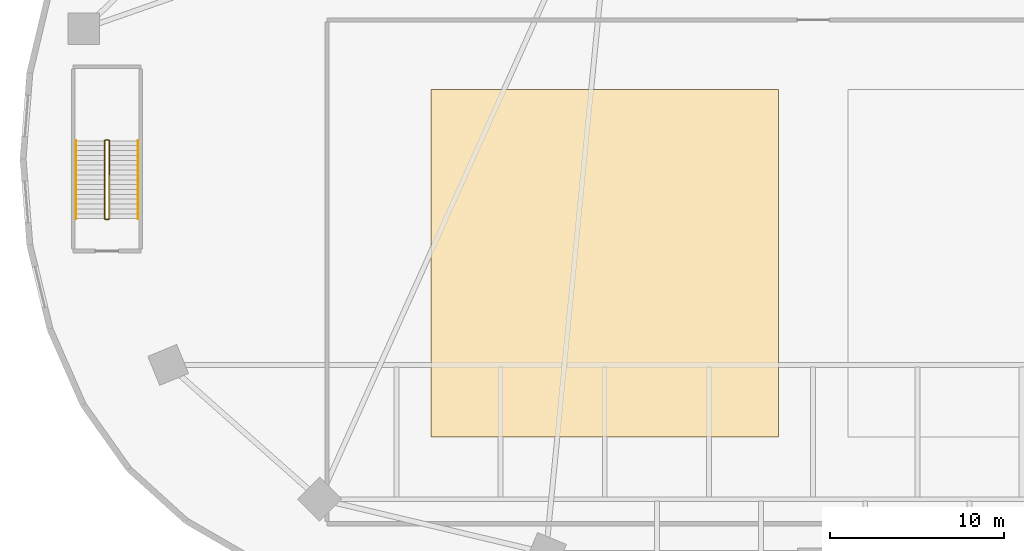
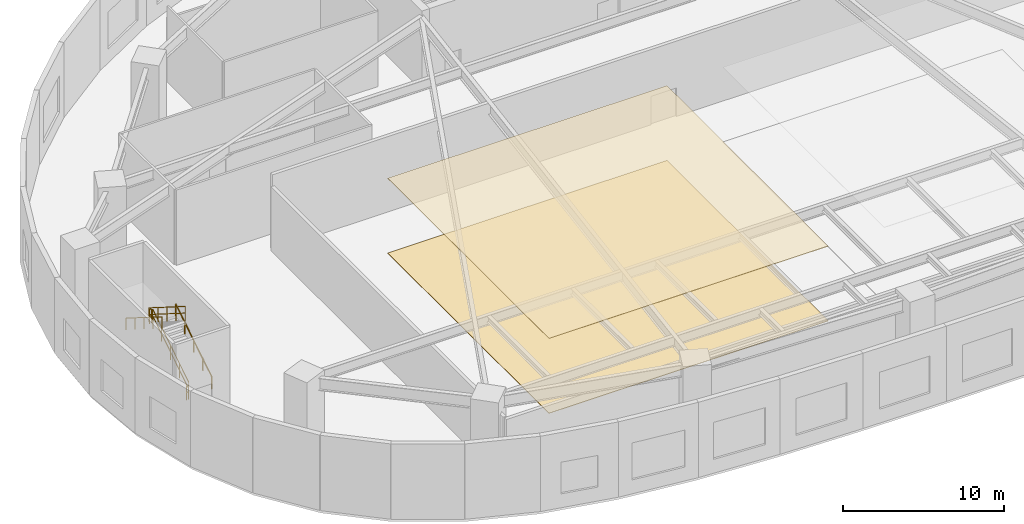
# One storey, part 7 of 10: 6 railings, 2 coverings.
"""IFC4 building model written with IfcOpenShell, lengths in metres."""

from ifc_helpers import new_model, si_unit, direction, frame, origin, origin_2d, place, context, subcontext, project, spatial, polyline, rectangle, outline, extrude, material, layer, layer_set, type_object, element, save


model = new_model("IFC4")

# Units and contexts
model_context = context("Model", 3, precision=1e-05, world=origin(), true_north=direction((0.0, 1.0)))
body_context = subcontext(model_context, "Body", "Model", "MODEL_VIEW")
ifc_project = project(units=[si_unit("LENGTHUNIT", "METRE"), si_unit("AREAUNIT", "SQUARE_METRE"), si_unit("VOLUMEUNIT", "CUBIC_METRE"), si_unit("PLANEANGLEUNIT", "RADIAN"), si_unit("MASSUNIT", "GRAM", prefix="KILO")], contexts=[model_context])

# Site, building, storey
site_placement = place(None, origin())
site = spatial("IfcSite", under=ifc_project, at=site_placement, CompositionType="ELEMENT")
building_placement = place(site_placement, origin())
building = spatial("IfcBuilding", under=site, at=building_placement, Name="Breltana Convention Tower", CompositionType="ELEMENT")
storey_placement = place(building_placement, frame((0.0, 0.0, 6.0)))
storey = spatial("IfcBuildingStorey", under=building, at=storey_placement, Name="L01", CompositionType="ELEMENT", Elevation=6.0)

# Coverings
ifc_material_1 = material(Name="Gypsum Micro-Perforated Acoustic Ceiling")
ifc_layer_1 = layer(ifc_material_1, 0.044921875, Name="Gypsum Micro-Perforated Acoustic Ceiling")
ifc_layer_set_1 = layer_set([ifc_layer_1], Name="Gypsum Micro-Perforated Acoustic Ceiling")
covering_type_1 = type_object("IfcCoveringType", Name="COV-CEIL-ACOUSTIC-45", PredefinedType="CEILING", material=ifc_layer_set_1)
covering_1_placement = place(storey_placement, frame((0.0, 0.0, 5.655029296875)))
element("IfcCovering", 1, at=covering_1_placement, inside=storey, type_object=covering_type_1, Name="L01 hall acoustic ceiling 2", PredefinedType="CEILING", context=body_context, shape_type="SweptSolid", body=[
    extrude(outline(polyline([(26.0, 26.0), (46.0, 26.0), (46.0, 46.0), (26.0, 46.0), (26.0, 26.0)])), origin(), (0.0, 0.0, 1.0), 0.044921875),
])
ifc_material_2 = material(Name="Warm Buff Limestone Terrazzo Flooring", Category="masonry")
ifc_layer_2 = layer(ifc_material_2, 0.034912109375, Name="Warm Buff Limestone Terrazzo Flooring")
ifc_layer_set_2 = layer_set([ifc_layer_2], Name="Warm Buff Limestone Terrazzo Flooring")
covering_type_2 = type_object("IfcCoveringType", Name="COV-FLOOR-TERRAZZO-35", PredefinedType="FLOORING", material=ifc_layer_set_2)
covering_2_placement = place(storey_placement, origin())
element("IfcCovering", 2, at=covering_2_placement, inside=storey, type_object=covering_type_2, Name="L01 hall limestone terrazzo flooring 2", PredefinedType="FLOORING", context=body_context, shape_type="SweptSolid", body=[
    extrude(outline(polyline([(26.0, 26.0), (46.0, 26.0), (46.0, 46.0), (26.0, 46.0), (26.0, 26.0)])), origin(), (0.0, 0.0, 1.0), 0.034912109375),
])

# Railings
ifc_material_3 = material(Name="Steel S275 Painted", Category="steel")
railing_type_1 = type_object("IfcRailingType", Name="RL-STAIR-GUARD-1100", PredefinedType="GUARDRAIL", material=ifc_material_3)
railing_1_placement = place(storey_placement, frame((7.4599609375, 38.56005859375, 0.176513671875)))
element("IfcRailing", 3, at=railing_1_placement, inside=storey, type_object=railing_type_1, Name="L01 ST-3 stair guard 1", PredefinedType="GUARDRAIL", context=body_context, shape_type="SweptSolid", body=[
    extrude(rectangle(XDim=0.048095703125, YDim=0.048095703125, at=origin_2d()), frame((0.0, 0.0, 1.076171875), z_axis=(0.0, 0.845997938375, 0.533186166611), x_axis=(-1.0, 0.0, 0.0)), (0.0, 0.0, 1.0), 5.29541015625),
    extrude(rectangle(XDim=0.048095703125, YDim=0.048095703125, at=origin_2d()), frame((0.0, 0.0, 0.572021484375), z_axis=(0.0, 0.845997938375, 0.533186166611), x_axis=(-1.0, 0.0, 0.0)), (0.0, 0.0, 1.0), 5.29541015625),
    extrude(rectangle(XDim=0.0419921875, YDim=0.0419921875, at=origin_2d()), origin(), (0.0, 0.0, 1.0), 1.052001953125),
    extrude(rectangle(XDim=0.0419921875, YDim=0.0419921875, at=origin_2d()), frame((0.0, 1.1201171875, 0.705810546875)), (0.0, 0.0, 1.0), 1.052001953125),
    extrude(rectangle(XDim=0.0419921875, YDim=0.0419921875, at=origin_2d()), frame((0.0, 2.239990234375, 1.41162109375)), (0.0, 0.0, 1.0), 1.052001953125),
    extrude(rectangle(XDim=0.0419921875, YDim=0.0419921875, at=origin_2d()), frame((0.0, 3.35986328125, 2.11767578125)), (0.0, 0.0, 1.0), 1.052001953125),
    extrude(rectangle(XDim=0.0419921875, YDim=0.0419921875, at=origin_2d()), frame((0.0, 4.47998046875, 2.823486328125)), (0.0, 0.0, 1.0), 1.052001953125),
])
railing_2_placement = place(storey_placement, frame((7.409912109375, 43.090087890625, 3.0)))
element("IfcRailing", 4, at=railing_2_placement, inside=storey, type_object=railing_type_1, Name="L01 ST-3 stair guard 2", PredefinedType="GUARDRAIL", context=body_context, shape_type="SweptSolid", body=[
    extrude(rectangle(XDim=0.048095703125, YDim=0.048095703125, at=origin_2d()), frame((0.0, 0.0, 1.076171875), z_axis=(-1.0, 0.0, 0.0), x_axis=(0.0, -1.0, 0.0)), (0.0, 0.0, 1.0), 0.14990234375),
    extrude(rectangle(XDim=0.048095703125, YDim=0.048095703125, at=origin_2d()), frame((0.0, 0.0, 0.572021484375), z_axis=(-1.0, 0.0, 0.0), x_axis=(0.0, -1.0, 0.0)), (0.0, 0.0, 1.0), 0.14990234375),
    extrude(rectangle(XDim=0.0419921875, YDim=0.0419921875, at=origin_2d()), origin(), (0.0, 0.0, 1.0), 1.052001953125),
    extrude(rectangle(XDim=0.0419921875, YDim=0.0419921875, at=origin_2d()), frame((-0.14990234375, 0.0, 0.0)), (0.0, 0.0, 1.0), 1.052001953125),
])
railing_3_placement = place(storey_placement, frame((7.2099609375, 43.0400390625, 3.176513671875)))
element("IfcRailing", 5, at=railing_3_placement, inside=storey, type_object=railing_type_1, Name="L01 ST-3 stair guard 3", PredefinedType="GUARDRAIL", context=body_context, shape_type="SweptSolid", body=[
    extrude(rectangle(XDim=0.048095703125, YDim=0.048095703125, at=origin_2d()), frame((0.0, 0.0, 1.076171875), z_axis=(0.0, -0.845997938375, 0.533186166611), x_axis=(1.0, 0.0, 0.0)), (0.0, 0.0, 1.0), 5.29541015625),
    extrude(rectangle(XDim=0.048095703125, YDim=0.048095703125, at=origin_2d()), frame((0.0, 0.0, 0.572021484375), z_axis=(0.0, -0.845997938375, 0.533186166611), x_axis=(1.0, 0.0, 0.0)), (0.0, 0.0, 1.0), 5.29541015625),
    extrude(rectangle(XDim=0.0419921875, YDim=0.0419921875, at=origin_2d()), origin(), (0.0, 0.0, 1.0), 1.052001953125),
    extrude(rectangle(XDim=0.0419921875, YDim=0.0419921875, at=origin_2d()), frame((0.0, -1.1201171875, 0.705810546875)), (0.0, 0.0, 1.0), 1.052001953125),
    extrude(rectangle(XDim=0.0419921875, YDim=0.0419921875, at=origin_2d()), frame((0.0, -2.239990234375, 1.41162109375)), (0.0, 0.0, 1.0), 1.052001953125),
    extrude(rectangle(XDim=0.0419921875, YDim=0.0419921875, at=origin_2d()), frame((0.0, -3.35986328125, 2.11767578125)), (0.0, 0.0, 1.0), 1.052001953125),
    extrude(rectangle(XDim=0.0419921875, YDim=0.0419921875, at=origin_2d()), frame((0.0, -4.47998046875, 2.823486328125)), (0.0, 0.0, 1.0), 1.052001953125),
])
railing_4_placement = place(storey_placement, frame((7.409912109375, 38.510009765625, 0.0)))
element("IfcRailing", 6, at=railing_4_placement, inside=storey, type_object=railing_type_1, Name="L01 ST-3 stair guard 4", PredefinedType="GUARDRAIL", context=body_context, shape_type="SweptSolid", body=[
    extrude(rectangle(XDim=0.048095703125, YDim=0.048095703125, at=origin_2d()), frame((0.0, 0.0, 1.076171875), z_axis=(-1.0, 0.0, 0.0), x_axis=(0.0, -1.0, 0.0)), (0.0, 0.0, 1.0), 0.14990234375),
    extrude(rectangle(XDim=0.048095703125, YDim=0.048095703125, at=origin_2d()), frame((0.0, 0.0, 0.572021484375), z_axis=(-1.0, 0.0, 0.0), x_axis=(0.0, -1.0, 0.0)), (0.0, 0.0, 1.0), 0.14990234375),
    extrude(rectangle(XDim=0.0419921875, YDim=0.0419921875, at=origin_2d()), origin(), (0.0, 0.0, 1.0), 1.052001953125),
    extrude(rectangle(XDim=0.0419921875, YDim=0.0419921875, at=origin_2d()), frame((-0.14990234375, 0.0, 0.0)), (0.0, 0.0, 1.0), 1.052001953125),
])
ifc_material_4 = material(Name="Stainless Steel 316L", Category="steel")
railing_type_2 = type_object("IfcRailingType", Name="RL-STAIR-HANDRAIL-900", PredefinedType="HANDRAIL", material=ifc_material_4)
railing_5_placement = place(storey_placement, frame((9.1201171875, 38.56005859375, 0.176513671875)))
element("IfcRailing", 7, at=railing_5_placement, inside=storey, type_object=railing_type_2, Name="L01 ST-3 stair handrail 1", PredefinedType="HANDRAIL", context=body_context, shape_type="SweptSolid", body=[
    extrude(rectangle(XDim=0.048095703125, YDim=0.048095703125, at=origin_2d()), frame((0.0, 0.0, 0.8759765625), z_axis=(0.0, 0.845997938375, 0.533186166611), x_axis=(-1.0, 0.0, 0.0)), (0.0, 0.0, 1.0), 5.29541015625),
    extrude(rectangle(XDim=0.0419921875, YDim=0.0419921875, at=origin_2d()), origin(), (0.0, 0.0, 1.0), 0.851806640625),
    extrude(rectangle(XDim=0.0419921875, YDim=0.0419921875, at=origin_2d()), frame((0.0, 1.1201171875, 0.705810546875)), (0.0, 0.0, 1.0), 0.851806640625),
    extrude(rectangle(XDim=0.0419921875, YDim=0.0419921875, at=origin_2d()), frame((0.0, 2.239990234375, 1.41162109375)), (0.0, 0.0, 1.0), 0.851806640625),
    extrude(rectangle(XDim=0.0419921875, YDim=0.0419921875, at=origin_2d()), frame((0.0, 3.35986328125, 2.11767578125)), (0.0, 0.0, 1.0), 0.851806640625),
    extrude(rectangle(XDim=0.0419921875, YDim=0.0419921875, at=origin_2d()), frame((0.0, 4.47998046875, 2.823486328125)), (0.0, 0.0, 1.0), 0.851806640625),
])
railing_6_placement = place(storey_placement, frame((5.550048828125, 43.0400390625, 3.176513671875)))
element("IfcRailing", 8, at=railing_6_placement, inside=storey, type_object=railing_type_2, Name="L01 ST-3 stair handrail 2", PredefinedType="HANDRAIL", context=body_context, shape_type="SweptSolid", body=[
    extrude(rectangle(XDim=0.048095703125, YDim=0.048095703125, at=origin_2d()), frame((0.0, 0.0, 0.8759765625), z_axis=(0.0, -0.845997938375, 0.533186166611), x_axis=(1.0, 0.0, 0.0)), (0.0, 0.0, 1.0), 5.29541015625),
    extrude(rectangle(XDim=0.0419921875, YDim=0.0419921875, at=origin_2d()), origin(), (0.0, 0.0, 1.0), 0.851806640625),
    extrude(rectangle(XDim=0.0419921875, YDim=0.0419921875, at=origin_2d()), frame((0.0, -1.1201171875, 0.705810546875)), (0.0, 0.0, 1.0), 0.851806640625),
    extrude(rectangle(XDim=0.0419921875, YDim=0.0419921875, at=origin_2d()), frame((0.0, -2.239990234375, 1.41162109375)), (0.0, 0.0, 1.0), 0.851806640625),
    extrude(rectangle(XDim=0.0419921875, YDim=0.0419921875, at=origin_2d()), frame((0.0, -3.35986328125, 2.11767578125)), (0.0, 0.0, 1.0), 0.851806640625),
    extrude(rectangle(XDim=0.0419921875, YDim=0.0419921875, at=origin_2d()), frame((0.0, -4.47998046875, 2.823486328125)), (0.0, 0.0, 1.0), 0.851806640625),
])

save(model, "model.ifc")
